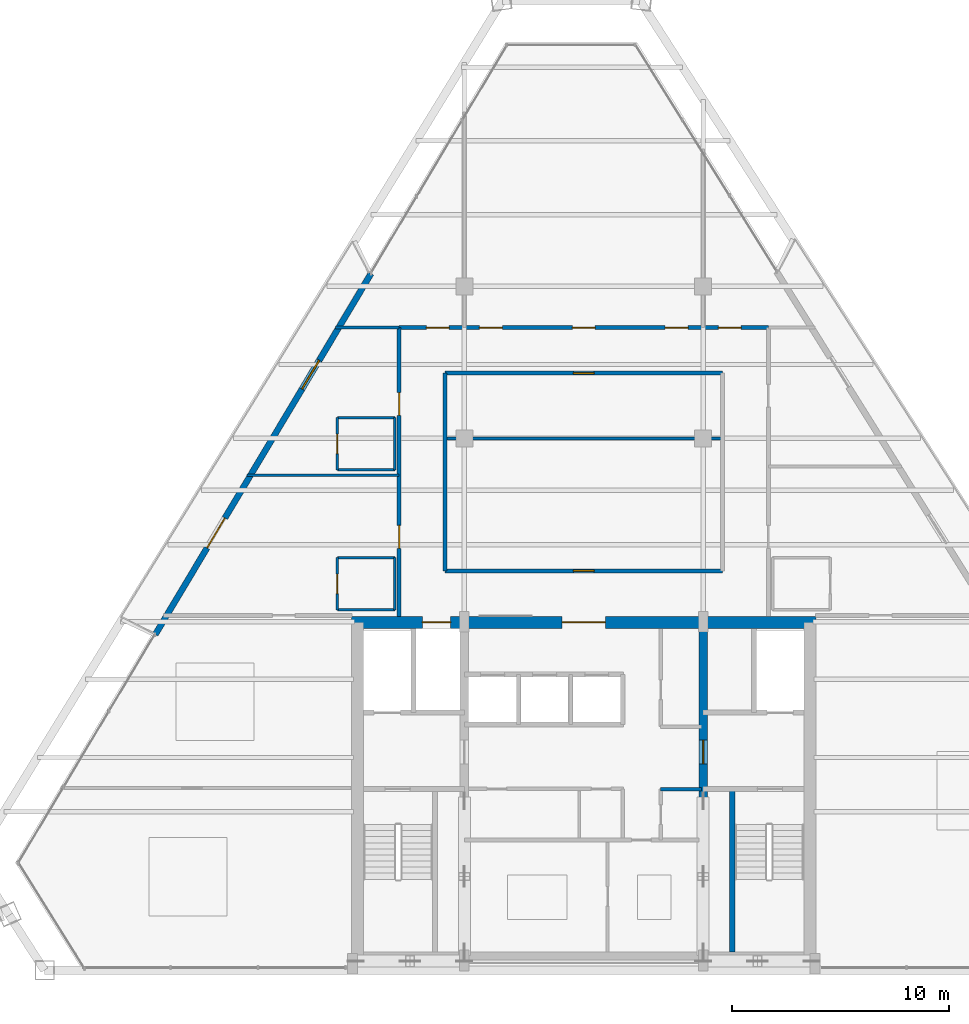
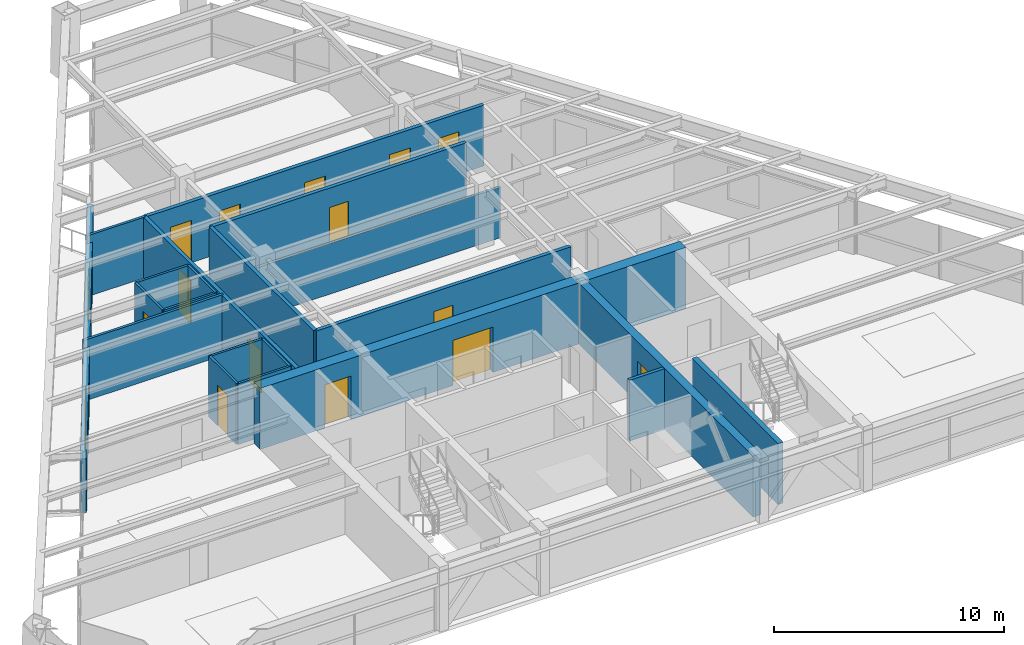
# One storey, part 9 of 12: 21 walls, 15 doors, 1 window, 16 openings.
"""IFC4 building model written with IfcOpenShell, lengths in metres."""

from ifc_helpers import new_model, si_unit, direction, frame, frame_2d, origin, place, context, subcontext, project, spatial, rectangle, extrude, source, transform, mapped, material, layer, layer_set, type_object, type_shapes, element, fill, save


model = new_model("IFC4")

# Units and contexts
model_context = context("Model", 3, precision=1e-05, world=origin(), true_north=direction((0.0, 1.0)))
body_context = subcontext(model_context, "Body", "Model", "MODEL_VIEW")
ifc_project = project(units=[si_unit("LENGTHUNIT", "METRE"), si_unit("AREAUNIT", "SQUARE_METRE"), si_unit("VOLUMEUNIT", "CUBIC_METRE"), si_unit("PLANEANGLEUNIT", "RADIAN"), si_unit("MASSUNIT", "GRAM", prefix="KILO")], contexts=[model_context])

# Site, building, storey
site_placement = place(None, origin())
site = spatial("IfcSite", under=ifc_project, at=site_placement, CompositionType="ELEMENT")
building_placement = place(site_placement, origin())
building = spatial("IfcBuilding", under=site, at=building_placement, Name="Varnakhor Terracotta Tower", CompositionType="ELEMENT")
storey_placement = place(building_placement, frame((0.0, 0.0, 223.449951171875)))
storey = spatial("IfcBuildingStorey", under=building, at=storey_placement, Name="L57", CompositionType="ELEMENT", Elevation=223.449951171875)

# Walls
ifc_material_1 = material(Name="Moisture-Resistant Tile-Backed Partition", Category="gypsum")
ifc_layer_1 = layer(ifc_material_1, 0.114990234375, Name="Moisture-Resistant Tile-Backed Partition")
ifc_layer_set_1 = layer_set([ifc_layer_1], Name="Moisture-Resistant Tile-Backed Partition")
wall_type_1 = type_object("IfcWallType", Name="WAL-BATH-115", PredefinedType="PARTITIONING", material=ifc_layer_set_1)
for number, where, z_axis, x_axis, name in (
    (1, (-11.35009765625, 16.60009765625, 0.0), (0.0, 0.0, 1.0), (1.0, 0.0, 0.0), "L57 En-Suite 1 Wall S"),
    (2, (-11.35009765625, 19.0, 0.0), (0.0, 0.0, 1.0), (1.0, 0.0, 0.0), "L57 En-Suite 1 Wall N"),
):
    element("IfcWall", number, at=place(storey_placement, frame(where, z_axis=z_axis, x_axis=x_axis)), inside=storey, type_object=wall_type_1, Name=name, PredefinedType="PARTITIONING", context=body_context, shape_type="SweptSolid", body=[
        extrude(rectangle(XDim=2.650146484375, YDim=0.114990234375, at=frame_2d((1.3251953125, 0.0))), origin(), (0.0, 0.0, 1.0), 3.23193359375),
    ])

# Wall, opening, door
wall_1_placement = place(storey_placement, frame((-11.35009765625, 16.60009765625, 0.0), z_axis=(0.0, 0.0, 1.0), x_axis=(0.0, 1.0, 0.0)))
wall_1 = element("IfcWall", 3, at=wall_1_placement, inside=storey, type_object=wall_type_1, Name="L57 En-Suite 1 Wall W", PredefinedType="PARTITIONING", context=body_context, shape_type="SweptSolid", body=[
    extrude(rectangle(XDim=2.39990234375, YDim=0.114990234375, at=frame_2d((1.199951171875, 0.0))), origin(), (0.0, 0.0, 1.0), 3.23193359375),
])
opening_1_placement = place(wall_1_placement, frame((0.75, 0.0, 0.0)))
opening_1 = element("IfcOpeningElement", 4, at=opening_1_placement, cuts=wall_1, Name="Opening DR-93", PredefinedType="OPENING", context=body_context, shape_type="SweptSolid", body=[
    extrude(rectangle(XDim=0.89990234375, YDim=2.14990234375, at=frame_2d((0.449951171875, 1.074951171875))), frame((0.0, 0.0673828125, 0.0), z_axis=(0.0, -1.0, 0.0), x_axis=(1.0, 0.0, 0.0)), (0.0, 0.0, 1.0), 0.135009765625),
])
ifc_material_2 = material(Name="Moisture-Resistant Accessible Bathroom Door", Category="wood")
door_type_1 = type_object("IfcDoorType", Name="DR-BATH-900X2150", OperationType="NOTDEFINED", PredefinedType="DOOR", material=ifc_material_2)
shared_shape_1 = source(origin(), body_context, "Body", "SweptSolid", [
    extrude(rectangle(XDim=0.89990234375, YDim=2.14990234375, at=frame_2d((0.449951171875, 1.074951171875))), frame((0.0, 0.02490234375, 0.0), z_axis=(0.0, -1.0, 0.0), x_axis=(1.0, 0.0, 0.0)), (0.0, 0.0, 1.0), 0.050048828125),
])
type_shapes(door_type_1, [shared_shape_1])
door_1_placement = place(opening_1_placement, origin())
door_1 = element("IfcDoor", 5, at=door_1_placement, inside=storey, type_object=door_type_1, Name="L57 En-Suite Bathroom 1 Door", OperationType="SINGLE_SWING_RIGHT", OverallHeight=2.14990234375, OverallWidth=0.89990234375, PredefinedType="DOOR", context=body_context, shape_type="MappedRepresentation", body=[
    mapped(shared_shape_1, transform((0.0, 0.0, 0.0), scale=1.0)),
])
fill(opening_1, door_1)

# Walls
wall_2_placement = place(storey_placement, frame((-8.699951171875, 16.60009765625, 0.0), z_axis=(0.0, 0.0, 1.0), x_axis=(0.0, 1.0, 0.0)))
element("IfcWall", 6, at=wall_2_placement, inside=storey, type_object=wall_type_1, Name="L57 En-Suite 1 Wall E", PredefinedType="PARTITIONING", context=body_context, shape_type="SweptSolid", body=[
    extrude(rectangle(XDim=2.39990234375, YDim=0.114990234375, at=frame_2d((1.199951171875, 0.0))), origin(), (0.0, 0.0, 1.0), 3.23193359375),
])
for number, where, z_axis, x_axis, name in (
    (7, (-11.35009765625, 23.050048828125, 0.0), (0.0, 0.0, 1.0), (1.0, 0.0, 0.0), "L57 En-Suite 2 Wall S"),
    (8, (-11.35009765625, 25.449951171875, 0.0), (0.0, 0.0, 1.0), (1.0, 0.0, 0.0), "L57 En-Suite 2 Wall N"),
):
    element("IfcWall", number, at=place(storey_placement, frame(where, z_axis=z_axis, x_axis=x_axis)), inside=storey, type_object=wall_type_1, Name=name, PredefinedType="PARTITIONING", context=body_context, shape_type="SweptSolid", body=[
        extrude(rectangle(XDim=2.650146484375, YDim=0.114990234375, at=frame_2d((1.3251953125, 0.0))), origin(), (0.0, 0.0, 1.0), 3.23193359375),
    ])

# Wall, opening, door
wall_3_placement = place(storey_placement, frame((-11.35009765625, 23.050048828125, 0.0), z_axis=(0.0, 0.0, 1.0), x_axis=(0.0, 1.0, 0.0)))
wall_3 = element("IfcWall", 9, at=wall_3_placement, inside=storey, type_object=wall_type_1, Name="L57 En-Suite 2 Wall W", PredefinedType="PARTITIONING", context=body_context, shape_type="SweptSolid", body=[
    extrude(rectangle(XDim=2.39990234375, YDim=0.114990234375, at=frame_2d((1.199951171875, 0.0))), origin(), (0.0, 0.0, 1.0), 3.23193359375),
])
opening_2_placement = place(wall_3_placement, frame((0.75, 0.0, 0.0)))
opening_2 = element("IfcOpeningElement", 10, at=opening_2_placement, cuts=wall_3, Name="Opening DR-93", PredefinedType="OPENING", context=body_context, shape_type="SweptSolid", body=[
    extrude(rectangle(XDim=0.89990234375, YDim=2.14990234375, at=frame_2d((0.449951171875, 1.074951171875))), frame((0.0, 0.0673828125, 0.0), z_axis=(0.0, -1.0, 0.0), x_axis=(1.0, 0.0, 0.0)), (0.0, 0.0, 1.0), 0.135009765625),
])
door_2_placement = place(opening_2_placement, origin())
door_2 = element("IfcDoor", 11, at=door_2_placement, inside=storey, type_object=door_type_1, Name="L57 En-Suite Bathroom 2 Door", OperationType="SINGLE_SWING_RIGHT", OverallHeight=2.14990234375, OverallWidth=0.89990234375, PredefinedType="DOOR", context=body_context, shape_type="MappedRepresentation", body=[
    mapped(shared_shape_1, transform((0.0, 0.0, 0.0), scale=1.0)),
])
fill(opening_2, door_2)

# Wall
wall_4_placement = place(storey_placement, frame((-8.699951171875, 23.050048828125, 0.0), z_axis=(0.0, 0.0, 1.0), x_axis=(0.0, 1.0, 0.0)))
element("IfcWall", 12, at=wall_4_placement, inside=storey, type_object=wall_type_1, Name="L57 En-Suite 2 Wall E", PredefinedType="PARTITIONING", context=body_context, shape_type="SweptSolid", body=[
    extrude(rectangle(XDim=2.39990234375, YDim=0.114990234375, at=frame_2d((1.199951171875, 0.0))), origin(), (0.0, 0.0, 1.0), 3.23193359375),
])

# Wall, openings, doors
ifc_material_3 = material(Name="Concrete C50/60", Category="concrete")
ifc_layer_2 = layer(ifc_material_3, 0.550048828125, Name="Concrete C50/60")
ifc_layer_set_2 = layer_set([ifc_layer_2], Name="Concrete C50/60")
wall_type_2 = type_object("IfcWallType", Name="WAL-CORE-550", PredefinedType="SHEAR", material=ifc_layer_set_2)
wall_5_placement = place(storey_placement, frame((-10.699951171875, 16.02490234375, 0.0), z_axis=(0.0, 0.0, 1.0), x_axis=(1.0, 0.0, 0.0)))
wall_5 = element("IfcWall", 13, at=wall_5_placement, inside=storey, type_object=wall_type_2, Name="L57 North Core Shear Wall", PredefinedType="SHEAR", context=body_context, shape_type="SweptSolid", body=[
    extrude(rectangle(XDim=21.39990234375, YDim=0.550048828125, at=frame_2d((10.699951171875, 0.0))), origin(), (0.0, 0.0, 1.0), 3.239990234375),
])
opening_3_placement = place(wall_5_placement, frame((3.27001953125, 0.0, 0.0)))
opening_3 = element("IfcOpeningElement", 14, at=opening_3_placement, cuts=wall_5, Name="Opening LD-03", PredefinedType="OPENING", context=body_context, shape_type="SweptSolid", body=[
    extrude(rectangle(XDim=1.300048828125, YDim=2.300048828125, at=frame_2d((0.64990234375, 1.14990234375))), frame((0.0, 0.28515625, 0.0), z_axis=(0.0, -1.0, 0.0), x_axis=(1.0, 0.0, 0.0)), (0.0, 0.0, 1.0), 0.570068359375),
])
opening_4_placement = place(wall_5_placement, frame((9.699951171875, 0.0, 0.0)))
opening_4 = element("IfcOpeningElement", 15, at=opening_4_placement, cuts=wall_5, Name="Opening DR-32", PredefinedType="OPENING", context=body_context, shape_type="SweptSolid", body=[
    extrude(rectangle(XDim=2.0, YDim=2.39990234375, at=frame_2d((1.0, 1.199951171875))), frame((0.0, 0.28515625, 0.0), z_axis=(0.0, -1.0, 0.0), x_axis=(1.0, 0.0, 0.0)), (0.0, 0.0, 1.0), 0.570068359375),
])
ifc_material_4 = material(Name="Heavy-Duty Goods Sliding Lift Landing Door", Category="steel")
door_type_2 = type_object("IfcDoorType", Name="LD-SRV-1300X2300", OperationType="NOTDEFINED", PredefinedType="DOOR", material=ifc_material_4)
shared_shape_2 = source(origin(), body_context, "Body", "SweptSolid", [
    extrude(rectangle(XDim=1.300048828125, YDim=2.300048828125, at=frame_2d((0.64990234375, 1.14990234375))), frame((0.0, 0.02490234375, 0.0), z_axis=(0.0, -1.0, 0.0), x_axis=(1.0, 0.0, 0.0)), (0.0, 0.0, 1.0), 0.050048828125),
])
type_shapes(door_type_2, [shared_shape_2])
door_3_placement = place(opening_3_placement, origin())
door_3 = element("IfcDoor", 16, at=door_3_placement, inside=storey, type_object=door_type_2, Name="L57 Service Lift SVL-1 Landing Door", OperationType="SLIDING_TO_RIGHT", OverallHeight=2.300048828125, OverallWidth=1.300048828125, PredefinedType="DOOR", context=body_context, shape_type="MappedRepresentation", body=[
    mapped(shared_shape_2, transform((0.0, 0.0, 0.0), scale=1.0)),
])
fill(opening_3, door_3)
ifc_material_5 = material(Name="Acoustic Double Assembly Fire Door", Category="wood")
door_type_3 = type_object("IfcDoorType", Name="DR-HALL-2000X2400", OperationType="NOTDEFINED", PredefinedType="DOOR", material=ifc_material_5)
shared_shape_3 = source(origin(), body_context, "Body", "SweptSolid", [
    extrude(rectangle(XDim=2.0, YDim=2.39990234375, at=frame_2d((1.0, 1.199951171875))), frame((0.0, 0.02490234375, 0.0), z_axis=(0.0, -1.0, 0.0), x_axis=(1.0, 0.0, 0.0)), (0.0, 0.0, 1.0), 0.050048828125),
])
type_shapes(door_type_3, [shared_shape_3])
door_4_placement = place(opening_4_placement, origin())
door_4 = element("IfcDoor", 17, at=door_4_placement, inside=storey, type_object=door_type_3, Name="L57 Core Main Lobby Double Door", OperationType="DOUBLE_DOOR_SINGLE_SWING", OverallHeight=2.39990234375, OverallWidth=2.0, PredefinedType="DOOR", context=body_context, shape_type="MappedRepresentation", body=[
    mapped(shared_shape_3, transform((0.0, 0.0, 0.0), scale=1.0)),
])
fill(opening_4, door_4)

# Wall, opening, door
ifc_layer_3 = layer(ifc_material_3, 0.39990234375, Name="Concrete C50/60")
ifc_layer_set_3 = layer_set([ifc_layer_3], Name="Concrete C50/60")
wall_type_3 = type_object("IfcWallType", Name="WAL-CORE-WEB-400", PredefinedType="SHEAR", material=ifc_layer_set_3)
wall_6_placement = place(storey_placement, frame((5.5, 0.574951171875, 0.0), z_axis=(0.0, 0.0, 1.0), x_axis=(0.0, 1.0, 0.0)))
wall_6 = element("IfcWall", 18, at=wall_6_placement, inside=storey, type_object=wall_type_3, Name="L57 East Core Web Shear Wall", PredefinedType="SHEAR", context=body_context, shape_type="SweptSolid", body=[
    extrude(rectangle(XDim=15.449951171875, YDim=0.39990234375, at=frame_2d((7.72509765625, 0.0))), origin(), (0.0, 0.0, 1.0), 3.239990234375),
])
opening_5_placement = place(wall_6_placement, frame((8.925048828125, 0.0, 0.0)))
opening_5 = element("IfcOpeningElement", 19, at=opening_5_placement, cuts=wall_6, Name="Opening DR-25", PredefinedType="OPENING", context=body_context, shape_type="SweptSolid", body=[
    extrude(rectangle(XDim=1.10009765625, YDim=2.199951171875, at=frame_2d((0.550048828125, 1.10009765625))), frame((0.0, 0.2099609375, 0.0), z_axis=(0.0, -1.0, 0.0), x_axis=(1.0, 0.0, 0.0)), (0.0, 0.0, 1.0), 0.419921875),
])
ifc_material_6 = material(Name="Firefighting Lobby Self-Closing Fire Door", Category="steel")
door_type_4 = type_object("IfcDoorType", Name="DR-FFL-1100X2200", OperationType="NOTDEFINED", PredefinedType="DOOR", material=ifc_material_6)
shared_shape_4 = source(origin(), body_context, "Body", "SweptSolid", [
    extrude(rectangle(XDim=1.10009765625, YDim=2.199951171875, at=frame_2d((0.550048828125, 1.10009765625))), frame((0.0, 0.02490234375, 0.0), z_axis=(0.0, -1.0, 0.0), x_axis=(1.0, 0.0, 0.0)), (0.0, 0.0, 1.0), 0.050048828125),
])
type_shapes(door_type_4, [shared_shape_4])
door_5_placement = place(opening_5_placement, origin())
door_5 = element("IfcDoor", 20, at=door_5_placement, inside=storey, type_object=door_type_4, Name="L57 East Firefighting Lobby Door", OperationType="SINGLE_SWING_LEFT", OverallHeight=2.199951171875, OverallWidth=1.10009765625, PredefinedType="DOOR", context=body_context, shape_type="MappedRepresentation", body=[
    mapped(shared_shape_4, transform((0.0, 0.0, 0.0), scale=1.0)),
])
fill(opening_5, door_5)

ifc_material_7 = material(Name="Fire-Rated Gypsum Stud Partition", Category="gypsum")
ifc_layer_4 = layer(ifc_material_7, 0.18505859375, Name="Fire-Rated Gypsum Stud Partition")
ifc_layer_set_4 = layer_set([ifc_layer_4], Name="Fire-Rated Gypsum Stud Partition")
wall_type_4 = type_object("IfcWallType", Name="WAL-CORR-185", PredefinedType="PARTITIONING", material=ifc_layer_set_4)
wall_7_placement = place(storey_placement, frame((-6.39990234375, 18.39990234375, 0.0), z_axis=(0.0, 0.0, 1.0), x_axis=(1.0, 0.0, 0.0)))
wall_7 = element("IfcWall", 21, at=wall_7_placement, inside=storey, type_object=wall_type_4, Name="L57 Ring Inner South Wall", PredefinedType="PARTITIONING", context=body_context, shape_type="SweptSolid", body=[
    extrude(rectangle(XDim=12.7998046875, YDim=0.18505859375, at=frame_2d((6.39990234375, 0.0))), origin(), (0.0, 0.0, 1.0), 3.23193359375),
])
opening_6_placement = place(wall_7_placement, frame((5.925048828125, 0.0, 0.0)))
opening_6 = element("IfcOpeningElement", 22, at=opening_6_placement, cuts=wall_7, Name="Opening DR-94", PredefinedType="OPENING", context=body_context, shape_type="SweptSolid", body=[
    extrude(rectangle(XDim=0.949951171875, YDim=2.199951171875, at=frame_2d((0.47509765625, 1.10009765625))), frame((0.0, 0.1025390625, 0.0), z_axis=(0.0, -1.0, 0.0), x_axis=(1.0, 0.0, 0.0)), (0.0, 0.0, 1.0), 0.205078125),
])
ifc_material_8 = material(Name="Acoustic Glazed-Vision Timber Office Door", Category="wood")
door_type_5 = type_object("IfcDoorType", Name="DR-OFF-950X2200", OperationType="NOTDEFINED", PredefinedType="DOOR", material=ifc_material_8)
shared_shape_5 = source(origin(), body_context, "Body", "SweptSolid", [
    extrude(rectangle(XDim=0.949951171875, YDim=2.199951171875, at=frame_2d((0.47509765625, 1.10009765625))), frame((0.0, 0.02490234375, 0.0), z_axis=(0.0, -1.0, 0.0), x_axis=(1.0, 0.0, 0.0)), (0.0, 0.0, 1.0), 0.050048828125),
])
type_shapes(door_type_5, [shared_shape_5])
door_6_placement = place(opening_6_placement, origin())
door_6 = element("IfcDoor", 23, at=door_6_placement, inside=storey, type_object=door_type_5, Name="L57 Housekeeping Station Door", OperationType="SINGLE_SWING_RIGHT", OverallHeight=2.199951171875, OverallWidth=0.949951171875, PredefinedType="DOOR", context=body_context, shape_type="MappedRepresentation", body=[
    mapped(shared_shape_5, transform((0.0, 0.0, 0.0), scale=1.0)),
])
fill(opening_6, door_6)

wall_8_placement = place(storey_placement, frame((-6.39990234375, 27.5, 0.0), z_axis=(0.0, 0.0, 1.0), x_axis=(1.0, 0.0, 0.0)))
wall_8 = element("IfcWall", 24, at=wall_8_placement, inside=storey, type_object=wall_type_4, Name="L57 Ring Inner North Wall", PredefinedType="PARTITIONING", context=body_context, shape_type="SweptSolid", body=[
    extrude(rectangle(XDim=12.7998046875, YDim=0.18505859375, at=frame_2d((6.39990234375, 0.0))), origin(), (0.0, 0.0, 1.0), 3.23193359375),
])
opening_7_placement = place(wall_8_placement, frame((5.925048828125, 0.0, 0.0)))
opening_7 = element("IfcOpeningElement", 25, at=opening_7_placement, cuts=wall_8, Name="Opening DR-94", PredefinedType="OPENING", context=body_context, shape_type="SweptSolid", body=[
    extrude(rectangle(XDim=0.949951171875, YDim=2.199951171875, at=frame_2d((0.47509765625, 1.10009765625))), frame((0.0, 0.1025390625, 0.0), z_axis=(0.0, -1.0, 0.0), x_axis=(1.0, 0.0, 0.0)), (0.0, 0.0, 1.0), 0.205078125),
])
door_7_placement = place(opening_7_placement, origin())
door_7 = element("IfcDoor", 26, at=door_7_placement, inside=storey, type_object=door_type_5, Name="L57 Inner Service Door", OperationType="SINGLE_SWING_LEFT", OverallHeight=2.199951171875, OverallWidth=0.949951171875, PredefinedType="DOOR", context=body_context, shape_type="MappedRepresentation", body=[
    mapped(shared_shape_5, transform((0.0, 0.0, 0.0), scale=1.0)),
])
fill(opening_7, door_7)

# Wall
wall_9_placement = place(storey_placement, frame((-6.39990234375, 18.39990234375, 0.0), z_axis=(0.0, 0.0, 1.0), x_axis=(0.0, 1.0, 0.0)))
element("IfcWall", 27, at=wall_9_placement, inside=storey, type_object=wall_type_4, Name="L57 Ring Inner West Wall", PredefinedType="PARTITIONING", context=body_context, shape_type="SweptSolid", body=[
    extrude(rectangle(XDim=9.10009765625, YDim=0.18505859375, at=frame_2d((4.550048828125, 0.0))), origin(), (0.0, 0.0, 1.0), 3.23193359375),
])

# Wall, openings, doors
wall_10_placement = place(storey_placement, frame((-8.5, 16.300048828125, 0.0), z_axis=(0.0, 0.0, 1.0), x_axis=(0.0, 1.0, 0.0)))
wall_10 = element("IfcWall", 28, at=wall_10_placement, inside=storey, type_object=wall_type_4, Name="L57 Hotel West Corridor Wall", PredefinedType="PARTITIONING", context=body_context, shape_type="SweptSolid", body=[
    extrude(rectangle(XDim=13.300048828125, YDim=0.18505859375, at=frame_2d((6.64990234375, 0.0))), origin(), (0.0, 0.0, 1.0), 3.23193359375),
])
opening_8_placement = place(wall_10_placement, frame((3.135986328125, 0.0, 0.0)))
opening_8 = element("IfcOpeningElement", 29, at=opening_8_placement, cuts=wall_10, Name="Opening DR-95", PredefinedType="OPENING", context=body_context, shape_type="SweptSolid", body=[
    extrude(rectangle(XDim=1.050048828125, YDim=2.25, at=frame_2d((0.52490234375, 1.125))), frame((0.0, 0.1025390625, 0.0), z_axis=(0.0, -1.0, 0.0), x_axis=(1.0, 0.0, 0.0)), (0.0, 0.0, 1.0), 0.205078125),
])
opening_9_placement = place(wall_10_placement, frame((9.25634765625, 0.0, 0.0)))
opening_9 = element("IfcOpeningElement", 30, at=opening_9_placement, cuts=wall_10, Name="Opening DR-95", PredefinedType="OPENING", context=body_context, shape_type="SweptSolid", body=[
    extrude(rectangle(XDim=1.050048828125, YDim=2.25, at=frame_2d((0.52490234375, 1.125))), frame((0.0, 0.1025390625, 0.0), z_axis=(0.0, -1.0, 0.0), x_axis=(1.0, 0.0, 0.0)), (0.0, 0.0, 1.0), 0.205078125),
])
ifc_material_9 = material(Name="Solid-Core Timber Tenant/Hotel Entrance Door", Category="wood")
door_type_6 = type_object("IfcDoorType", Name="DR-SUITE-1050X2250", OperationType="NOTDEFINED", PredefinedType="DOOR", material=ifc_material_9)
shared_shape_6 = source(origin(), body_context, "Body", "SweptSolid", [
    extrude(rectangle(XDim=1.050048828125, YDim=2.25, at=frame_2d((0.52490234375, 1.125))), frame((0.0, 0.02490234375, 0.0), z_axis=(0.0, -1.0, 0.0), x_axis=(1.0, 0.0, 0.0)), (0.0, 0.0, 1.0), 0.050048828125),
])
type_shapes(door_type_6, [shared_shape_6])
door_8_placement = place(opening_8_placement, origin())
door_8 = element("IfcDoor", 31, at=door_8_placement, inside=storey, type_object=door_type_6, Name="L57 West Room 1 Entry Door", OperationType="SINGLE_SWING_LEFT", OverallHeight=2.25, OverallWidth=1.050048828125, PredefinedType="DOOR", context=body_context, shape_type="MappedRepresentation", body=[
    mapped(shared_shape_6, transform((0.0, 0.0, 0.0), scale=1.0)),
])
fill(opening_8, door_8)
door_9_placement = place(opening_9_placement, origin())
door_9 = element("IfcDoor", 32, at=door_9_placement, inside=storey, type_object=door_type_6, Name="L57 West Room 2 Entry Door", OperationType="SINGLE_SWING_LEFT", OverallHeight=2.25, OverallWidth=1.050048828125, PredefinedType="DOOR", context=body_context, shape_type="MappedRepresentation", body=[
    mapped(shared_shape_6, transform((0.0, 0.0, 0.0), scale=1.0)),
])
fill(opening_9, door_9)

wall_11_placement = place(storey_placement, frame((-8.5, 29.60009765625, 0.0), z_axis=(0.0, 0.0, 1.0), x_axis=(1.0, 0.0, 0.0)))
wall_11 = element("IfcWall", 33, at=wall_11_placement, inside=storey, type_object=wall_type_4, Name="L57 Hotel North Corridor Wall", PredefinedType="PARTITIONING", context=body_context, shape_type="SweptSolid", body=[
    extrude(rectangle(XDim=17.0, YDim=0.18505859375, at=frame_2d((8.5, 0.0))), origin(), (0.0, 0.0, 1.0), 3.23193359375),
])
opening_10_placement = place(wall_11_placement, frame((3.697509765625, 0.0, 0.0)))
opening_10 = element("IfcOpeningElement", 34, at=opening_10_placement, cuts=wall_11, Name="Opening DR-95", PredefinedType="OPENING", context=body_context, shape_type="SweptSolid", body=[
    extrude(rectangle(XDim=1.050048828125, YDim=2.25, at=frame_2d((0.52490234375, 1.125))), frame((0.0, 0.1025390625, 0.0), z_axis=(0.0, -1.0, 0.0), x_axis=(1.0, 0.0, 0.0)), (0.0, 0.0, 1.0), 0.205078125),
])
opening_11_placement = place(wall_11_placement, frame((7.97509765625, 0.0, 0.0)))
opening_11 = element("IfcOpeningElement", 35, at=opening_11_placement, cuts=wall_11, Name="Opening DR-95", PredefinedType="OPENING", context=body_context, shape_type="SweptSolid", body=[
    extrude(rectangle(XDim=1.050048828125, YDim=2.25, at=frame_2d((0.52490234375, 1.125))), frame((0.0, 0.1025390625, 0.0), z_axis=(0.0, -1.0, 0.0), x_axis=(1.0, 0.0, 0.0)), (0.0, 0.0, 1.0), 0.205078125),
])
opening_12_placement = place(wall_11_placement, frame((12.25244140625, 0.0, 0.0)))
opening_12 = element("IfcOpeningElement", 36, at=opening_12_placement, cuts=wall_11, Name="Opening DR-95", PredefinedType="OPENING", context=body_context, shape_type="SweptSolid", body=[
    extrude(rectangle(XDim=1.050048828125, YDim=2.25, at=frame_2d((0.52490234375, 1.125))), frame((0.0, 0.1025390625, 0.0), z_axis=(0.0, -1.0, 0.0), x_axis=(1.0, 0.0, 0.0)), (0.0, 0.0, 1.0), 0.205078125),
])
opening_13_placement = place(wall_11_placement, frame((14.697509765625, 0.0, 0.0)))
opening_13 = element("IfcOpeningElement", 37, at=opening_13_placement, cuts=wall_11, Name="Opening DR-95", PredefinedType="OPENING", context=body_context, shape_type="SweptSolid", body=[
    extrude(rectangle(XDim=1.050048828125, YDim=2.25, at=frame_2d((0.52490234375, 1.125))), frame((0.0, 0.1025390625, 0.0), z_axis=(0.0, -1.0, 0.0), x_axis=(1.0, 0.0, 0.0)), (0.0, 0.0, 1.0), 0.205078125),
])
opening_14_placement = place(wall_11_placement, frame((1.25244140625, 0.0, 0.0)))
opening_14 = element("IfcOpeningElement", 38, at=opening_14_placement, cuts=wall_11, Name="Opening DR-95", PredefinedType="OPENING", context=body_context, shape_type="SweptSolid", body=[
    extrude(rectangle(XDim=1.050048828125, YDim=2.25, at=frame_2d((0.52490234375, 1.125))), frame((0.0, 0.1025390625, 0.0), z_axis=(0.0, -1.0, 0.0), x_axis=(1.0, 0.0, 0.0)), (0.0, 0.0, 1.0), 0.205078125),
])
door_10_placement = place(opening_10_placement, origin())
door_10 = element("IfcDoor", 39, at=door_10_placement, inside=storey, type_object=door_type_6, Name="L57 North Suite 1 Entry Door", OperationType="SINGLE_SWING_RIGHT", OverallHeight=2.25, OverallWidth=1.050048828125, PredefinedType="DOOR", context=body_context, shape_type="MappedRepresentation", body=[
    mapped(shared_shape_6, transform((0.0, 0.0, 0.0), scale=1.0)),
])
fill(opening_10, door_10)
door_11_placement = place(opening_11_placement, origin())
door_11 = element("IfcDoor", 40, at=door_11_placement, inside=storey, type_object=door_type_6, Name="L57 North Suite 2 Entry Door", OperationType="SINGLE_SWING_LEFT", OverallHeight=2.25, OverallWidth=1.050048828125, PredefinedType="DOOR", context=body_context, shape_type="MappedRepresentation", body=[
    mapped(shared_shape_6, transform((0.0, 0.0, 0.0), scale=1.0)),
])
fill(opening_11, door_11)
door_12_placement = place(opening_12_placement, origin())
door_12 = element("IfcDoor", 41, at=door_12_placement, inside=storey, type_object=door_type_6, Name="L57 North Suite 3 Entry Door", OperationType="SINGLE_SWING_RIGHT", OverallHeight=2.25, OverallWidth=1.050048828125, PredefinedType="DOOR", context=body_context, shape_type="MappedRepresentation", body=[
    mapped(shared_shape_6, transform((0.0, 0.0, 0.0), scale=1.0)),
])
fill(opening_12, door_12)
door_13_placement = place(opening_13_placement, origin())
door_13 = element("IfcDoor", 42, at=door_13_placement, inside=storey, type_object=door_type_6, Name="L57 Executive Partner Office NE Door", OperationType="SINGLE_SWING_LEFT", OverallHeight=2.25, OverallWidth=1.050048828125, PredefinedType="DOOR", context=body_context, shape_type="MappedRepresentation", body=[
    mapped(shared_shape_6, transform((0.0, 0.0, 0.0), scale=1.0)),
])
fill(opening_13, door_13)
door_14_placement = place(opening_14_placement, origin())
door_14 = element("IfcDoor", 43, at=door_14_placement, inside=storey, type_object=door_type_6, Name="L57 Executive Partner Office NW Door", OperationType="SINGLE_SWING_RIGHT", OverallHeight=2.25, OverallWidth=1.050048828125, PredefinedType="DOOR", context=body_context, shape_type="MappedRepresentation", body=[
    mapped(shared_shape_6, transform((0.0, 0.0, 0.0), scale=1.0)),
])
fill(opening_14, door_14)

# Wall, openings, door, window
ifc_material_10 = material(Name="Extruded Architectural Terracotta Assembly", Category="masonry")
ifc_layer_5 = layer(ifc_material_10, 0.280029296875, Name="Extruded Architectural Terracotta Assembly")
ifc_layer_set_5 = layer_set([ifc_layer_5], Name="Extruded Architectural Terracotta Assembly")
wall_type_5 = type_object("IfcWallType", Name="WAL-EXT-TERRACOTTA-280", PredefinedType="SOLIDWALL", material=ifc_layer_set_5)
wall_12_placement = place(storey_placement, frame((-19.736083984375, 15.4638671875, 0.0), z_axis=(0.0, 0.0, 1.0), x_axis=(0.513136432844, 0.858307055364, 0.0)))
wall_12 = element("IfcWall", 44, at=wall_12_placement, inside=storey, type_object=wall_type_5, Name="L57 W Loggia Insulated Terracotta Wall", PredefinedType="SOLIDWALL", context=body_context, shape_type="SweptSolid", body=[
    extrude(rectangle(XDim=19.36962890625, YDim=0.280029296875, at=frame_2d((9.684814453125, 0.0))), origin(), (0.0, 0.0, 1.0), 2.820068359375),
])
opening_15_placement = place(wall_12_placement, frame((4.648681640625, 0.0, 0.0)))
opening_15 = element("IfcOpeningElement", 45, at=opening_15_placement, cuts=wall_12, Name="Opening DR-62", PredefinedType="OPENING", context=body_context, shape_type="SweptSolid", body=[
    extrude(rectangle(XDim=1.60009765625, YDim=2.35009765625, at=frame_2d((0.800048828125, 1.175048828125))), frame((0.0, 0.14990234375, 0.0), z_axis=(0.0, -1.0, 0.0), x_axis=(1.0, 0.0, 0.0)), (0.0, 0.0, 1.0), 0.300048828125),
])
opening_16_placement = place(wall_12_placement, frame((13.171142578125, 0.0, 0.89990234375)))
opening_16 = element("IfcOpeningElement", 46, at=opening_16_placement, cuts=wall_12, Name="Opening WN-59", PredefinedType="OPENING", context=body_context, shape_type="SweptSolid", body=[
    extrude(rectangle(XDim=1.550048828125, YDim=1.75, at=frame_2d((0.77490234375, 0.875))), frame((0.0, 0.14990234375, 0.0), z_axis=(0.0, -1.0, 0.0), x_axis=(1.0, 0.0, 0.0)), (0.0, 0.0, 1.0), 0.300048828125),
])
ifc_material_11 = material(Name="Thermally Broken Sliding Glass Loggia Door", Category="glass")
door_type_7 = type_object("IfcDoorType", Name="DR-EXT-LOGGIA-1600X2350", OperationType="NOTDEFINED", PredefinedType="DOOR", material=ifc_material_11)
shared_shape_7 = source(origin(), body_context, "Body", "SweptSolid", [
    extrude(rectangle(XDim=1.60009765625, YDim=2.35009765625, at=frame_2d((0.800048828125, 1.175048828125))), frame((0.0, 0.02490234375, 0.0), z_axis=(0.0, -1.0, 0.0), x_axis=(1.0, 0.0, 0.0)), (0.0, 0.0, 1.0), 0.050048828125),
])
type_shapes(door_type_7, [shared_shape_7])
door_15_placement = place(opening_15_placement, origin())
door_15 = element("IfcDoor", 47, at=door_15_placement, inside=storey, type_object=door_type_7, Name="L57 W Recessed Loggia Sliding Door", OperationType="SLIDING_TO_LEFT", OverallHeight=2.35009765625, OverallWidth=1.60009765625, PredefinedType="DOOR", context=body_context, shape_type="MappedRepresentation", body=[
    mapped(shared_shape_7, transform((0.0, 0.0, 0.0), scale=1.0)),
])
fill(opening_15, door_15)
ifc_material_12 = material(Name="Solar-Control Low-E Insulated Glass Unit", Category="glass")
window_type = type_object("IfcWindowType", Name="WIN-HTL-1500X1950", PartitioningType="SINGLE_PANEL", PredefinedType="WINDOW", material=ifc_material_12)
shared_shape_8 = source(origin(), body_context, "Body", "SweptSolid", [
    extrude(rectangle(XDim=1.550048828125, YDim=1.75, at=frame_2d((0.77490234375, 0.875))), frame((0.0, 0.030029296875, 0.0), z_axis=(0.0, -1.0, 0.0), x_axis=(1.0, 0.0, 0.0)), (0.0, 0.0, 1.0), 0.06005859375),
])
type_shapes(window_type, [shared_shape_8])
window_placement = place(opening_16_placement, origin())
window = element("IfcWindow", 48, at=window_placement, inside=storey, type_object=window_type, Name="L57 W Facet Punched Window", OverallHeight=1.75, OverallWidth=1.550048828125, PartitioningType="SINGLE_PANEL", PredefinedType="WINDOW", context=body_context, shape_type="MappedRepresentation", body=[
    mapped(shared_shape_8, transform((0.0, 0.0, 0.0), scale=1.0)),
])
fill(opening_16, window)

# Walls
ifc_material_13 = material(Name="Acoustic Hotel Room Partition", Category="gypsum")
ifc_layer_6 = layer(ifc_material_13, 0.1298828125, Name="Acoustic Hotel Room Partition")
ifc_layer_set_6 = layer_set([ifc_layer_6], Name="Acoustic Hotel Room Partition")
wall_type_6 = type_object("IfcWallType", Name="WAL-PART-130", PredefinedType="PARTITIONING", material=ifc_layer_set_6)
wall_13_placement = place(storey_placement, frame((-11.436279296875, 29.60009765625, 0.0), z_axis=(0.0, 0.0, 1.0), x_axis=(1.0, 0.0, 0.0)))
element("IfcWall", 49, at=wall_13_placement, inside=storey, type_object=wall_type_6, Name="L57 North West Suite South Wall", PredefinedType="PARTITIONING", context=body_context, shape_type="SweptSolid", body=[
    extrude(rectangle(XDim=2.936279296875, YDim=0.1298828125, at=frame_2d((1.46826171875, 0.0))), origin(), (0.0, 0.0, 1.0), 3.23193359375),
])
wall_14_placement = place(storey_placement, frame((-15.50146484375, 22.800048828125, 0.0), z_axis=(0.0, 0.0, 1.0), x_axis=(1.0, 0.0, 0.0)))
element("IfcWall", 50, at=wall_14_placement, inside=storey, type_object=wall_type_6, Name="L57 West Key Cut 1", PredefinedType="PARTITIONING", context=body_context, shape_type="SweptSolid", body=[
    extrude(rectangle(XDim=7.00146484375, YDim=0.1298828125, at=frame_2d((3.500732421875, 0.0))), origin(), (0.0, 0.0, 1.0), 3.23193359375),
])
ifc_material_14 = material(Name="Acoustic Metal-Stud Partition", Category="gypsum")
ifc_layer_7 = layer(ifc_material_14, 0.139892578125, Name="Acoustic Metal-Stud Partition")
ifc_layer_set_7 = layer_set([ifc_layer_7], Name="Acoustic Metal-Stud Partition")
wall_type_7 = type_object("IfcWallType", Name="WAL-PART-140", PredefinedType="PARTITIONING", material=ifc_layer_set_7)
wall_15_placement = place(storey_placement, frame((-6.39990234375, 24.5, 0.0), z_axis=(0.0, 0.0, 1.0), x_axis=(1.0, 0.0, 0.0)))
element("IfcWall", 51, at=wall_15_placement, inside=storey, type_object=wall_type_7, Name="L57 Inner Service Split", PredefinedType="PARTITIONING", context=body_context, shape_type="SweptSolid", body=[
    extrude(rectangle(XDim=12.7998046875, YDim=0.139892578125, at=frame_2d((6.39990234375, 0.0))), origin(), (0.0, 0.0, 1.0), 2.68310546875),
])
ifc_material_15 = material(Name="Concrete C40/50", Category="concrete")
ifc_layer_8 = layer(ifc_material_15, 0.25, Name="Concrete C40/50")
ifc_layer_set_8 = layer_set([ifc_layer_8], Name="Concrete C40/50")
wall_type_8 = type_object("IfcWallType", Name="WAL-SHAFT-250", PredefinedType="SOLIDWALL", material=ifc_layer_set_8)
wall_16_placement = place(storey_placement, frame((6.85009765625, 0.85009765625, 0.0), z_axis=(0.0, 0.0, 1.0), x_axis=(0.0, 1.0, 0.0)))
element("IfcWall", 52, at=wall_16_placement, inside=storey, type_object=wall_type_8, Name="L57 Stair ST-2 Bearing Shaft Wall", PredefinedType="SOLIDWALL", context=body_context, shape_type="SweptSolid", body=[
    extrude(rectangle(XDim=7.5, YDim=0.25, at=frame_2d((3.75, 0.0))), origin(), (0.0, 0.0, 1.0), 3.239990234375),
])
ifc_material_16 = material(Name="Acoustic Fire-Rated Partition", Category="gypsum")
ifc_layer_9 = layer(ifc_material_16, 0.1650390625, Name="Acoustic Fire-Rated Partition")
ifc_layer_set_9 = layer_set([ifc_layer_9], Name="Acoustic Fire-Rated Partition")
wall_type_9 = type_object("IfcWallType", Name="WAL-TENANCY-165", PredefinedType="PARTITIONING", material=ifc_layer_set_9)
wall_17_placement = place(storey_placement, frame((3.5400390625, 8.340087890625, 0.0), z_axis=(0.0, 0.0, 1.0), x_axis=(1.0, 0.0, 0.0)))
element("IfcWall", 53, at=wall_17_placement, inside=storey, type_object=wall_type_9, Name="L57 Accessible WC North Wall", PredefinedType="PARTITIONING", context=body_context, shape_type="SweptSolid", body=[
    extrude(rectangle(XDim=1.8798828125, YDim=0.1650390625, at=frame_2d((0.93994140625, 0.0))), origin(), (0.0, 0.0, 1.0), 3.23193359375),
])

save(model, "model.ifc")
